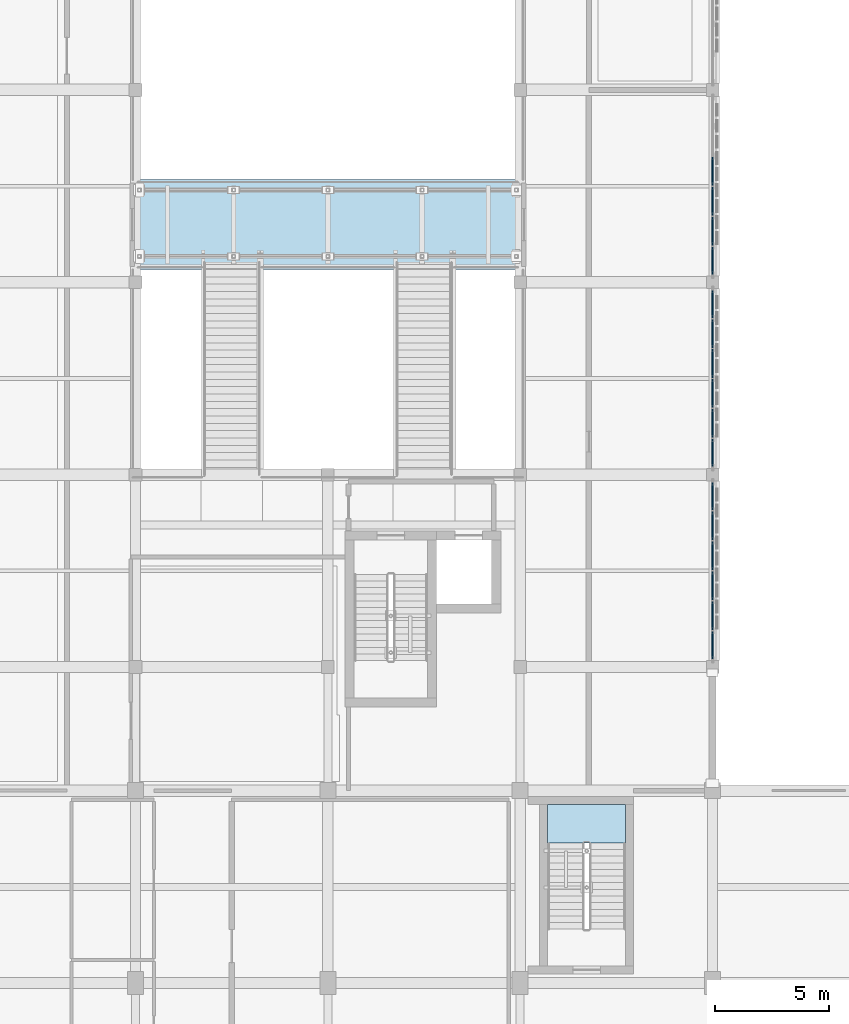
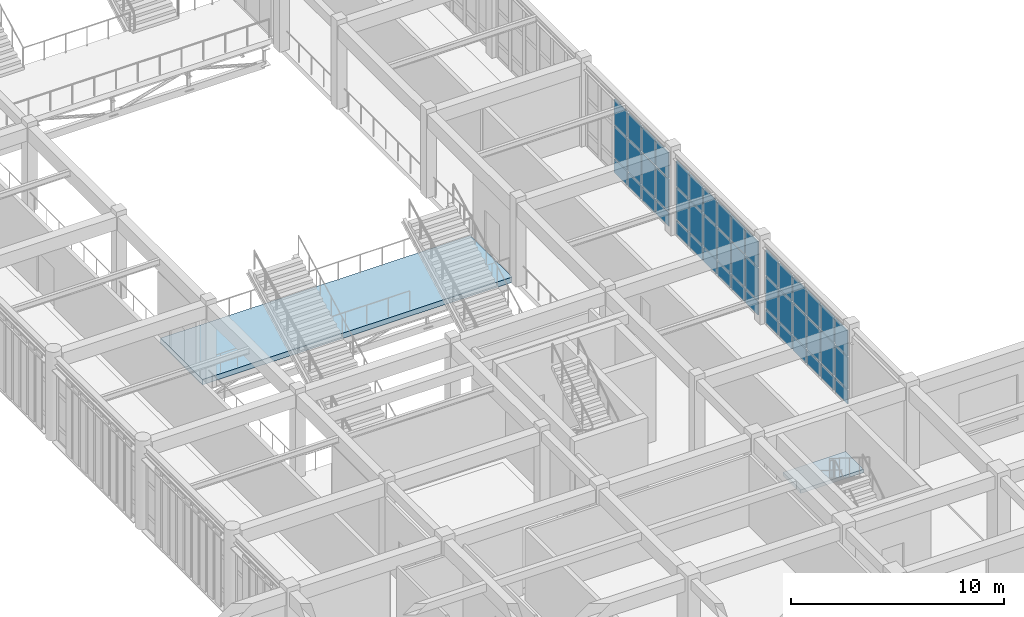
# One storey, part 68 of 106: 48 plates, 2 slabs, 4 elements without a shape of their own.
"""IFC4 building model written with IfcOpenShell, lengths in metres."""

from ifc_helpers import new_model, si_unit, direction, frame, origin, origin_2d, place, context, subcontext, project, spatial, polyline, rectangle, outline, extrude, material, layer, layer_set, type_object, element, aggregate, save


model = new_model("IFC4")

# Units and contexts
model_context = context("Model", 3, precision=1e-05, world=origin(), true_north=direction((0.0, 1.0)))
body_context = subcontext(model_context, "Body", "Model", "MODEL_VIEW")
ifc_project = project(units=[si_unit("LENGTHUNIT", "METRE"), si_unit("AREAUNIT", "SQUARE_METRE"), si_unit("VOLUMEUNIT", "CUBIC_METRE"), si_unit("PLANEANGLEUNIT", "RADIAN"), si_unit("MASSUNIT", "GRAM", prefix="KILO")], contexts=[model_context])

# Site, building, storey
site_placement = place(None, origin())
site = spatial("IfcSite", under=ifc_project, at=site_placement, CompositionType="ELEMENT")
building_placement = place(site_placement, origin())
building = spatial("IfcBuilding", under=site, at=building_placement, Name="Krzemoval Escarpment Law Courts", CompositionType="ELEMENT")
storey_placement = place(building_placement, frame((0.0, 0.0, 5.10009765625)))
storey = spatial("IfcBuildingStorey", under=building, at=storey_placement, Name="L01", CompositionType="ELEMENT", Elevation=5.10009765625)

# Curtain wall, plates
ifc_material_1 = material(Name="Aluminium 6063-T6", Category="aluminium")
ifc_layer_1 = layer(ifc_material_1, 0.280029296875)
ifc_layer_set_1 = layer_set([ifc_layer_1], Name="Aluminium 6063-T6")
curtain_wall_type = type_object("IfcCurtainWallType", Name="CW-HALL-5100", PredefinedType="USERDEFINED", material=ifc_layer_set_1)
curtain_wall_1_placement = place(storey_placement, origin())
curtain_wall_1 = element("IfcCurtainWall", 1, at=curtain_wall_1_placement, inside=storey, type_object=curtain_wall_type, Name="Unitised Curtain Wall FCW-L01-061", ObjectType="UNITISED_CURTAIN_WALL", PredefinedType="USERDEFINED")
ifc_material_2 = material(Name="Triple Glazing IGU", Category="glass")
ifc_layer_2 = layer(ifc_material_2, 0.053955078125)
ifc_layer_set_2 = layer_set([ifc_layer_2], Name="Triple Glazing IGU")
plate_type = type_object("IfcPlateType", Name="CWP-GLZ-54", PredefinedType="CURTAIN_PANEL", material=ifc_layer_set_2)
plate_1_placement = place(storey_placement, frame((42.0, 62.4541015625, 0.0849609375), z_axis=(0.0, 0.0, 1.0), x_axis=(0.0, -1.0, 0.0)))
plate_1 = element("IfcPlate", 2, at=plate_1_placement, type_object=plate_type, Name="FCW-L01-061 panel 3.1", PredefinedType="CURTAIN_PANEL", context=body_context, shape_type="SweptSolid", body=[
    extrude(rectangle(XDim=1.223388671875, YDim=0.053955078125, at=origin_2d()), origin(), (0.0, 0.0, 1.0), 0.7724609375),
])
plate_2_placement = place(storey_placement, frame((42.0, 62.4541015625, 0.9423828125), z_axis=(0.0, 0.0, 1.0), x_axis=(0.0, -1.0, 0.0)))
plate_2 = element("IfcPlate", 3, at=plate_2_placement, type_object=plate_type, Name="FCW-L01-061 panel 3.2", PredefinedType="CURTAIN_PANEL", context=body_context, shape_type="SweptSolid", body=[
    extrude(rectangle(XDim=1.223388671875, YDim=0.053955078125, at=origin_2d()), origin(), (0.0, 0.0, 1.0), 1.81494140625),
])
plate_3_placement = place(storey_placement, frame((42.0, 62.4541015625, 2.842529296875), z_axis=(0.0, 0.0, 1.0), x_axis=(0.0, -1.0, 0.0)))
plate_3 = element("IfcPlate", 4, at=plate_3_placement, type_object=plate_type, Name="FCW-L01-061 panel 3.3", PredefinedType="CURTAIN_PANEL", context=body_context, shape_type="SweptSolid", body=[
    extrude(rectangle(XDim=1.223388671875, YDim=0.053955078125, at=origin_2d()), origin(), (0.0, 0.0, 1.0), 1.4423828125),
])
plate_4_placement = place(storey_placement, frame((42.0, 61.145751953125, 0.0849609375), z_axis=(0.0, 0.0, 1.0), x_axis=(0.0, -1.0, 0.0)))
plate_4 = element("IfcPlate", 5, at=plate_4_placement, type_object=plate_type, Name="FCW-L01-061 panel 4.1", PredefinedType="CURTAIN_PANEL", context=body_context, shape_type="SweptSolid", body=[
    extrude(rectangle(XDim=1.223388671875, YDim=0.053955078125, at=origin_2d()), origin(), (0.0, 0.0, 1.0), 0.7724609375),
])
plate_5_placement = place(storey_placement, frame((42.0, 61.145751953125, 0.9423828125), z_axis=(0.0, 0.0, 1.0), x_axis=(0.0, -1.0, 0.0)))
plate_5 = element("IfcPlate", 6, at=plate_5_placement, type_object=plate_type, Name="FCW-L01-061 panel 4.2", PredefinedType="CURTAIN_PANEL", context=body_context, shape_type="SweptSolid", body=[
    extrude(rectangle(XDim=1.223388671875, YDim=0.053955078125, at=origin_2d()), origin(), (0.0, 0.0, 1.0), 1.81494140625),
])
plate_6_placement = place(storey_placement, frame((42.0, 61.145751953125, 2.842529296875), z_axis=(0.0, 0.0, 1.0), x_axis=(0.0, -1.0, 0.0)))
plate_6 = element("IfcPlate", 7, at=plate_6_placement, type_object=plate_type, Name="FCW-L01-061 panel 4.3", PredefinedType="CURTAIN_PANEL", context=body_context, shape_type="SweptSolid", body=[
    extrude(rectangle(XDim=1.223388671875, YDim=0.053955078125, at=origin_2d()), origin(), (0.0, 0.0, 1.0), 1.4423828125),
])
plate_7_placement = place(storey_placement, frame((42.0, 59.83740234375, 0.0849609375), z_axis=(0.0, 0.0, 1.0), x_axis=(0.0, -1.0, 0.0)))
plate_7 = element("IfcPlate", 8, at=plate_7_placement, type_object=plate_type, Name="FCW-L01-061 panel 5.1", PredefinedType="CURTAIN_PANEL", context=body_context, shape_type="SweptSolid", body=[
    extrude(rectangle(XDim=1.223388671875, YDim=0.053955078125, at=origin_2d()), origin(), (0.0, 0.0, 1.0), 0.7724609375),
])
plate_8_placement = place(storey_placement, frame((42.0, 59.83740234375, 0.9423828125), z_axis=(0.0, 0.0, 1.0), x_axis=(0.0, -1.0, 0.0)))
plate_8 = element("IfcPlate", 9, at=plate_8_placement, type_object=plate_type, Name="FCW-L01-061 panel 5.2", PredefinedType="CURTAIN_PANEL", context=body_context, shape_type="SweptSolid", body=[
    extrude(rectangle(XDim=1.223388671875, YDim=0.053955078125, at=origin_2d()), origin(), (0.0, 0.0, 1.0), 1.81494140625),
])
plate_9_placement = place(storey_placement, frame((42.0, 59.83740234375, 2.842529296875), z_axis=(0.0, 0.0, 1.0), x_axis=(0.0, -1.0, 0.0)))
plate_9 = element("IfcPlate", 10, at=plate_9_placement, type_object=plate_type, Name="FCW-L01-061 panel 5.3", PredefinedType="CURTAIN_PANEL", context=body_context, shape_type="SweptSolid", body=[
    extrude(rectangle(XDim=1.223388671875, YDim=0.053955078125, at=origin_2d()), origin(), (0.0, 0.0, 1.0), 1.4423828125),
])
plate_10_placement = place(storey_placement, frame((42.0, 58.550537109375, 0.0849609375), z_axis=(0.0, 0.0, 1.0), x_axis=(0.0, -1.0, 0.0)))
plate_10 = element("IfcPlate", 11, at=plate_10_placement, type_object=plate_type, Name="FCW-L01-061 panel 6.1", PredefinedType="CURTAIN_PANEL", context=body_context, shape_type="SweptSolid", body=[
    extrude(rectangle(XDim=1.180908203125, YDim=0.053955078125, at=origin_2d()), origin(), (0.0, 0.0, 1.0), 0.7724609375),
])
plate_11_placement = place(storey_placement, frame((42.0, 58.550537109375, 0.9423828125), z_axis=(0.0, 0.0, 1.0), x_axis=(0.0, -1.0, 0.0)))
plate_11 = element("IfcPlate", 12, at=plate_11_placement, type_object=plate_type, Name="FCW-L01-061 panel 6.2", PredefinedType="CURTAIN_PANEL", context=body_context, shape_type="SweptSolid", body=[
    extrude(rectangle(XDim=1.180908203125, YDim=0.053955078125, at=origin_2d()), origin(), (0.0, 0.0, 1.0), 1.81494140625),
])
plate_12_placement = place(storey_placement, frame((42.0, 58.550537109375, 2.842529296875), z_axis=(0.0, 0.0, 1.0), x_axis=(0.0, -1.0, 0.0)))
plate_12 = element("IfcPlate", 13, at=plate_12_placement, type_object=plate_type, Name="FCW-L01-061 panel 6.3", PredefinedType="CURTAIN_PANEL", context=body_context, shape_type="SweptSolid", body=[
    extrude(rectangle(XDim=1.180908203125, YDim=0.053955078125, at=origin_2d()), origin(), (0.0, 0.0, 1.0), 1.4423828125),
])
aggregate(curtain_wall_1, [plate_1, plate_2, plate_3, plate_4, plate_5, plate_6, plate_7, plate_8, plate_9, plate_10, plate_11, plate_12])

curtain_wall_2_placement = place(storey_placement, origin())
curtain_wall_2 = element("IfcCurtainWall", 14, at=curtain_wall_2_placement, inside=storey, type_object=curtain_wall_type, Name="Unitised Curtain Wall FCW-L01-062", ObjectType="UNITISED_CURTAIN_WALL", PredefinedType="USERDEFINED")
plate_13_placement = place(storey_placement, frame((42.0, 56.649658203125, 0.0849609375), z_axis=(0.0, 0.0, 1.0), x_axis=(0.0, -1.0, 0.0)))
plate_13 = element("IfcPlate", 15, at=plate_13_placement, type_object=plate_type, Name="FCW-L01-062 panel 1.1", PredefinedType="CURTAIN_PANEL", context=body_context, shape_type="SweptSolid", body=[
    extrude(rectangle(XDim=1.180908203125, YDim=0.053955078125, at=origin_2d()), origin(), (0.0, 0.0, 1.0), 0.7724609375),
])
plate_14_placement = place(storey_placement, frame((42.0, 56.649658203125, 0.9423828125), z_axis=(0.0, 0.0, 1.0), x_axis=(0.0, -1.0, 0.0)))
plate_14 = element("IfcPlate", 16, at=plate_14_placement, type_object=plate_type, Name="FCW-L01-062 panel 1.2", PredefinedType="CURTAIN_PANEL", context=body_context, shape_type="SweptSolid", body=[
    extrude(rectangle(XDim=1.180908203125, YDim=0.053955078125, at=origin_2d()), origin(), (0.0, 0.0, 1.0), 1.81494140625),
])
plate_15_placement = place(storey_placement, frame((42.0, 56.649658203125, 2.842529296875), z_axis=(0.0, 0.0, 1.0), x_axis=(0.0, -1.0, 0.0)))
plate_15 = element("IfcPlate", 17, at=plate_15_placement, type_object=plate_type, Name="FCW-L01-062 panel 1.3", PredefinedType="CURTAIN_PANEL", context=body_context, shape_type="SweptSolid", body=[
    extrude(rectangle(XDim=1.180908203125, YDim=0.053955078125, at=origin_2d()), origin(), (0.0, 0.0, 1.0), 1.4423828125),
])
plate_16_placement = place(storey_placement, frame((42.0, 55.362548828125, 0.0849609375), z_axis=(0.0, 0.0, 1.0), x_axis=(0.0, -1.0, 0.0)))
plate_16 = element("IfcPlate", 18, at=plate_16_placement, type_object=plate_type, Name="FCW-L01-062 panel 2.1", PredefinedType="CURTAIN_PANEL", context=body_context, shape_type="SweptSolid", body=[
    extrude(rectangle(XDim=1.223388671875, YDim=0.053955078125, at=origin_2d()), origin(), (0.0, 0.0, 1.0), 0.7724609375),
])
plate_17_placement = place(storey_placement, frame((42.0, 55.362548828125, 0.9423828125), z_axis=(0.0, 0.0, 1.0), x_axis=(0.0, -1.0, 0.0)))
plate_17 = element("IfcPlate", 19, at=plate_17_placement, type_object=plate_type, Name="FCW-L01-062 panel 2.2", PredefinedType="CURTAIN_PANEL", context=body_context, shape_type="SweptSolid", body=[
    extrude(rectangle(XDim=1.223388671875, YDim=0.053955078125, at=origin_2d()), origin(), (0.0, 0.0, 1.0), 1.81494140625),
])
plate_18_placement = place(storey_placement, frame((42.0, 55.362548828125, 2.842529296875), z_axis=(0.0, 0.0, 1.0), x_axis=(0.0, -1.0, 0.0)))
plate_18 = element("IfcPlate", 20, at=plate_18_placement, type_object=plate_type, Name="FCW-L01-062 panel 2.3", PredefinedType="CURTAIN_PANEL", context=body_context, shape_type="SweptSolid", body=[
    extrude(rectangle(XDim=1.223388671875, YDim=0.053955078125, at=origin_2d()), origin(), (0.0, 0.0, 1.0), 1.4423828125),
])
plate_19_placement = place(storey_placement, frame((42.0, 54.05419921875, 0.0849609375), z_axis=(0.0, 0.0, 1.0), x_axis=(0.0, -1.0, 0.0)))
plate_19 = element("IfcPlate", 21, at=plate_19_placement, type_object=plate_type, Name="FCW-L01-062 panel 3.1", PredefinedType="CURTAIN_PANEL", context=body_context, shape_type="SweptSolid", body=[
    extrude(rectangle(XDim=1.223388671875, YDim=0.053955078125, at=origin_2d()), origin(), (0.0, 0.0, 1.0), 0.7724609375),
])
plate_20_placement = place(storey_placement, frame((42.0, 54.05419921875, 0.9423828125), z_axis=(0.0, 0.0, 1.0), x_axis=(0.0, -1.0, 0.0)))
plate_20 = element("IfcPlate", 22, at=plate_20_placement, type_object=plate_type, Name="FCW-L01-062 panel 3.2", PredefinedType="CURTAIN_PANEL", context=body_context, shape_type="SweptSolid", body=[
    extrude(rectangle(XDim=1.223388671875, YDim=0.053955078125, at=origin_2d()), origin(), (0.0, 0.0, 1.0), 1.81494140625),
])
plate_21_placement = place(storey_placement, frame((42.0, 54.05419921875, 2.842529296875), z_axis=(0.0, 0.0, 1.0), x_axis=(0.0, -1.0, 0.0)))
plate_21 = element("IfcPlate", 23, at=plate_21_placement, type_object=plate_type, Name="FCW-L01-062 panel 3.3", PredefinedType="CURTAIN_PANEL", context=body_context, shape_type="SweptSolid", body=[
    extrude(rectangle(XDim=1.223388671875, YDim=0.053955078125, at=origin_2d()), origin(), (0.0, 0.0, 1.0), 1.4423828125),
])
plate_22_placement = place(storey_placement, frame((42.0, 52.745849609375, 0.0849609375), z_axis=(0.0, 0.0, 1.0), x_axis=(0.0, -1.0, 0.0)))
plate_22 = element("IfcPlate", 24, at=plate_22_placement, type_object=plate_type, Name="FCW-L01-062 panel 4.1", PredefinedType="CURTAIN_PANEL", context=body_context, shape_type="SweptSolid", body=[
    extrude(rectangle(XDim=1.223388671875, YDim=0.053955078125, at=origin_2d()), origin(), (0.0, 0.0, 1.0), 0.7724609375),
])
plate_23_placement = place(storey_placement, frame((42.0, 52.745849609375, 0.9423828125), z_axis=(0.0, 0.0, 1.0), x_axis=(0.0, -1.0, 0.0)))
plate_23 = element("IfcPlate", 25, at=plate_23_placement, type_object=plate_type, Name="FCW-L01-062 panel 4.2", PredefinedType="CURTAIN_PANEL", context=body_context, shape_type="SweptSolid", body=[
    extrude(rectangle(XDim=1.223388671875, YDim=0.053955078125, at=origin_2d()), origin(), (0.0, 0.0, 1.0), 1.81494140625),
])
plate_24_placement = place(storey_placement, frame((42.0, 52.745849609375, 2.842529296875), z_axis=(0.0, 0.0, 1.0), x_axis=(0.0, -1.0, 0.0)))
plate_24 = element("IfcPlate", 26, at=plate_24_placement, type_object=plate_type, Name="FCW-L01-062 panel 4.3", PredefinedType="CURTAIN_PANEL", context=body_context, shape_type="SweptSolid", body=[
    extrude(rectangle(XDim=1.223388671875, YDim=0.053955078125, at=origin_2d()), origin(), (0.0, 0.0, 1.0), 1.4423828125),
])
plate_25_placement = place(storey_placement, frame((42.0, 51.4375, 0.0849609375), z_axis=(0.0, 0.0, 1.0), x_axis=(0.0, -1.0, 0.0)))
plate_25 = element("IfcPlate", 27, at=plate_25_placement, type_object=plate_type, Name="FCW-L01-062 panel 5.1", PredefinedType="CURTAIN_PANEL", context=body_context, shape_type="SweptSolid", body=[
    extrude(rectangle(XDim=1.223388671875, YDim=0.053955078125, at=origin_2d()), origin(), (0.0, 0.0, 1.0), 0.7724609375),
])
plate_26_placement = place(storey_placement, frame((42.0, 51.4375, 0.9423828125), z_axis=(0.0, 0.0, 1.0), x_axis=(0.0, -1.0, 0.0)))
plate_26 = element("IfcPlate", 28, at=plate_26_placement, type_object=plate_type, Name="FCW-L01-062 panel 5.2", PredefinedType="CURTAIN_PANEL", context=body_context, shape_type="SweptSolid", body=[
    extrude(rectangle(XDim=1.223388671875, YDim=0.053955078125, at=origin_2d()), origin(), (0.0, 0.0, 1.0), 1.81494140625),
])
plate_27_placement = place(storey_placement, frame((42.0, 51.4375, 2.842529296875), z_axis=(0.0, 0.0, 1.0), x_axis=(0.0, -1.0, 0.0)))
plate_27 = element("IfcPlate", 29, at=plate_27_placement, type_object=plate_type, Name="FCW-L01-062 panel 5.3", PredefinedType="CURTAIN_PANEL", context=body_context, shape_type="SweptSolid", body=[
    extrude(rectangle(XDim=1.223388671875, YDim=0.053955078125, at=origin_2d()), origin(), (0.0, 0.0, 1.0), 1.4423828125),
])
plate_28_placement = place(storey_placement, frame((42.0, 50.150390625, 0.0849609375), z_axis=(0.0, 0.0, 1.0), x_axis=(0.0, -1.0, 0.0)))
plate_28 = element("IfcPlate", 30, at=plate_28_placement, type_object=plate_type, Name="FCW-L01-062 panel 6.1", PredefinedType="CURTAIN_PANEL", context=body_context, shape_type="SweptSolid", body=[
    extrude(rectangle(XDim=1.180908203125, YDim=0.053955078125, at=origin_2d()), origin(), (0.0, 0.0, 1.0), 0.7724609375),
])
plate_29_placement = place(storey_placement, frame((42.0, 50.150390625, 0.9423828125), z_axis=(0.0, 0.0, 1.0), x_axis=(0.0, -1.0, 0.0)))
plate_29 = element("IfcPlate", 31, at=plate_29_placement, type_object=plate_type, Name="FCW-L01-062 panel 6.2", PredefinedType="CURTAIN_PANEL", context=body_context, shape_type="SweptSolid", body=[
    extrude(rectangle(XDim=1.180908203125, YDim=0.053955078125, at=origin_2d()), origin(), (0.0, 0.0, 1.0), 1.81494140625),
])
plate_30_placement = place(storey_placement, frame((42.0, 50.150390625, 2.842529296875), z_axis=(0.0, 0.0, 1.0), x_axis=(0.0, -1.0, 0.0)))
plate_30 = element("IfcPlate", 32, at=plate_30_placement, type_object=plate_type, Name="FCW-L01-062 panel 6.3", PredefinedType="CURTAIN_PANEL", context=body_context, shape_type="SweptSolid", body=[
    extrude(rectangle(XDim=1.180908203125, YDim=0.053955078125, at=origin_2d()), origin(), (0.0, 0.0, 1.0), 1.4423828125),
])
aggregate(curtain_wall_2, [plate_13, plate_14, plate_15, plate_16, plate_17, plate_18, plate_19, plate_20, plate_21, plate_22, plate_23, plate_24, plate_25, plate_26, plate_27, plate_28, plate_29, plate_30])

curtain_wall_3_placement = place(storey_placement, origin())
curtain_wall_3 = element("IfcCurtainWall", 33, at=curtain_wall_3_placement, inside=storey, type_object=curtain_wall_type, Name="Unitised Curtain Wall FCW-L01-063", ObjectType="UNITISED_CURTAIN_WALL", PredefinedType="USERDEFINED")
plate_31_placement = place(storey_placement, frame((42.0, 48.24951171875, 0.0849609375), z_axis=(0.0, 0.0, 1.0), x_axis=(0.0, -1.0, 0.0)))
plate_31 = element("IfcPlate", 34, at=plate_31_placement, type_object=plate_type, Name="FCW-L01-063 panel 1.1", PredefinedType="CURTAIN_PANEL", context=body_context, shape_type="SweptSolid", body=[
    extrude(rectangle(XDim=1.180908203125, YDim=0.053955078125, at=origin_2d()), origin(), (0.0, 0.0, 1.0), 0.7724609375),
])
plate_32_placement = place(storey_placement, frame((42.0, 48.24951171875, 0.9423828125), z_axis=(0.0, 0.0, 1.0), x_axis=(0.0, -1.0, 0.0)))
plate_32 = element("IfcPlate", 35, at=plate_32_placement, type_object=plate_type, Name="FCW-L01-063 panel 1.2", PredefinedType="CURTAIN_PANEL", context=body_context, shape_type="SweptSolid", body=[
    extrude(rectangle(XDim=1.180908203125, YDim=0.053955078125, at=origin_2d()), origin(), (0.0, 0.0, 1.0), 1.81494140625),
])
plate_33_placement = place(storey_placement, frame((42.0, 48.24951171875, 2.842529296875), z_axis=(0.0, 0.0, 1.0), x_axis=(0.0, -1.0, 0.0)))
plate_33 = element("IfcPlate", 36, at=plate_33_placement, type_object=plate_type, Name="FCW-L01-063 panel 1.3", PredefinedType="CURTAIN_PANEL", context=body_context, shape_type="SweptSolid", body=[
    extrude(rectangle(XDim=1.180908203125, YDim=0.053955078125, at=origin_2d()), origin(), (0.0, 0.0, 1.0), 1.4423828125),
])
plate_34_placement = place(storey_placement, frame((42.0, 46.96240234375, 0.0849609375), z_axis=(0.0, 0.0, 1.0), x_axis=(0.0, -1.0, 0.0)))
plate_34 = element("IfcPlate", 37, at=plate_34_placement, type_object=plate_type, Name="FCW-L01-063 panel 2.1", PredefinedType="CURTAIN_PANEL", context=body_context, shape_type="SweptSolid", body=[
    extrude(rectangle(XDim=1.223388671875, YDim=0.053955078125, at=origin_2d()), origin(), (0.0, 0.0, 1.0), 0.7724609375),
])
plate_35_placement = place(storey_placement, frame((42.0, 46.96240234375, 0.9423828125), z_axis=(0.0, 0.0, 1.0), x_axis=(0.0, -1.0, 0.0)))
plate_35 = element("IfcPlate", 38, at=plate_35_placement, type_object=plate_type, Name="FCW-L01-063 panel 2.2", PredefinedType="CURTAIN_PANEL", context=body_context, shape_type="SweptSolid", body=[
    extrude(rectangle(XDim=1.223388671875, YDim=0.053955078125, at=origin_2d()), origin(), (0.0, 0.0, 1.0), 1.81494140625),
])
plate_36_placement = place(storey_placement, frame((42.0, 46.96240234375, 2.842529296875), z_axis=(0.0, 0.0, 1.0), x_axis=(0.0, -1.0, 0.0)))
plate_36 = element("IfcPlate", 39, at=plate_36_placement, type_object=plate_type, Name="FCW-L01-063 panel 2.3", PredefinedType="CURTAIN_PANEL", context=body_context, shape_type="SweptSolid", body=[
    extrude(rectangle(XDim=1.223388671875, YDim=0.053955078125, at=origin_2d()), origin(), (0.0, 0.0, 1.0), 1.4423828125),
])
plate_37_placement = place(storey_placement, frame((42.0, 45.654052734375, 0.0849609375), z_axis=(0.0, 0.0, 1.0), x_axis=(0.0, -1.0, 0.0)))
plate_37 = element("IfcPlate", 40, at=plate_37_placement, type_object=plate_type, Name="FCW-L01-063 panel 3.1", PredefinedType="CURTAIN_PANEL", context=body_context, shape_type="SweptSolid", body=[
    extrude(rectangle(XDim=1.223388671875, YDim=0.053955078125, at=origin_2d()), origin(), (0.0, 0.0, 1.0), 0.7724609375),
])
plate_38_placement = place(storey_placement, frame((42.0, 45.654052734375, 0.9423828125), z_axis=(0.0, 0.0, 1.0), x_axis=(0.0, -1.0, 0.0)))
plate_38 = element("IfcPlate", 41, at=plate_38_placement, type_object=plate_type, Name="FCW-L01-063 panel 3.2", PredefinedType="CURTAIN_PANEL", context=body_context, shape_type="SweptSolid", body=[
    extrude(rectangle(XDim=1.223388671875, YDim=0.053955078125, at=origin_2d()), origin(), (0.0, 0.0, 1.0), 1.81494140625),
])
plate_39_placement = place(storey_placement, frame((42.0, 45.654052734375, 2.842529296875), z_axis=(0.0, 0.0, 1.0), x_axis=(0.0, -1.0, 0.0)))
plate_39 = element("IfcPlate", 42, at=plate_39_placement, type_object=plate_type, Name="FCW-L01-063 panel 3.3", PredefinedType="CURTAIN_PANEL", context=body_context, shape_type="SweptSolid", body=[
    extrude(rectangle(XDim=1.223388671875, YDim=0.053955078125, at=origin_2d()), origin(), (0.0, 0.0, 1.0), 1.4423828125),
])
plate_40_placement = place(storey_placement, frame((42.0, 44.345947265625, 0.0849609375), z_axis=(0.0, 0.0, 1.0), x_axis=(0.0, -1.0, 0.0)))
plate_40 = element("IfcPlate", 43, at=plate_40_placement, type_object=plate_type, Name="FCW-L01-063 panel 4.1", PredefinedType="CURTAIN_PANEL", context=body_context, shape_type="SweptSolid", body=[
    extrude(rectangle(XDim=1.223388671875, YDim=0.053955078125, at=origin_2d()), origin(), (0.0, 0.0, 1.0), 0.7724609375),
])
plate_41_placement = place(storey_placement, frame((42.0, 44.345947265625, 0.9423828125), z_axis=(0.0, 0.0, 1.0), x_axis=(0.0, -1.0, 0.0)))
plate_41 = element("IfcPlate", 44, at=plate_41_placement, type_object=plate_type, Name="FCW-L01-063 panel 4.2", PredefinedType="CURTAIN_PANEL", context=body_context, shape_type="SweptSolid", body=[
    extrude(rectangle(XDim=1.223388671875, YDim=0.053955078125, at=origin_2d()), origin(), (0.0, 0.0, 1.0), 1.81494140625),
])
plate_42_placement = place(storey_placement, frame((42.0, 44.345947265625, 2.842529296875), z_axis=(0.0, 0.0, 1.0), x_axis=(0.0, -1.0, 0.0)))
plate_42 = element("IfcPlate", 45, at=plate_42_placement, type_object=plate_type, Name="FCW-L01-063 panel 4.3", PredefinedType="CURTAIN_PANEL", context=body_context, shape_type="SweptSolid", body=[
    extrude(rectangle(XDim=1.223388671875, YDim=0.053955078125, at=origin_2d()), origin(), (0.0, 0.0, 1.0), 1.4423828125),
])
plate_43_placement = place(storey_placement, frame((42.0, 43.03759765625, 0.0849609375), z_axis=(0.0, 0.0, 1.0), x_axis=(0.0, -1.0, 0.0)))
plate_43 = element("IfcPlate", 46, at=plate_43_placement, type_object=plate_type, Name="FCW-L01-063 panel 5.1", PredefinedType="CURTAIN_PANEL", context=body_context, shape_type="SweptSolid", body=[
    extrude(rectangle(XDim=1.223388671875, YDim=0.053955078125, at=origin_2d()), origin(), (0.0, 0.0, 1.0), 0.7724609375),
])
plate_44_placement = place(storey_placement, frame((42.0, 43.03759765625, 0.9423828125), z_axis=(0.0, 0.0, 1.0), x_axis=(0.0, -1.0, 0.0)))
plate_44 = element("IfcPlate", 47, at=plate_44_placement, type_object=plate_type, Name="FCW-L01-063 panel 5.2", PredefinedType="CURTAIN_PANEL", context=body_context, shape_type="SweptSolid", body=[
    extrude(rectangle(XDim=1.223388671875, YDim=0.053955078125, at=origin_2d()), origin(), (0.0, 0.0, 1.0), 1.81494140625),
])
plate_45_placement = place(storey_placement, frame((42.0, 43.03759765625, 2.842529296875), z_axis=(0.0, 0.0, 1.0), x_axis=(0.0, -1.0, 0.0)))
plate_45 = element("IfcPlate", 48, at=plate_45_placement, type_object=plate_type, Name="FCW-L01-063 panel 5.3", PredefinedType="CURTAIN_PANEL", context=body_context, shape_type="SweptSolid", body=[
    extrude(rectangle(XDim=1.223388671875, YDim=0.053955078125, at=origin_2d()), origin(), (0.0, 0.0, 1.0), 1.4423828125),
])
plate_46_placement = place(storey_placement, frame((42.0, 41.75048828125, 0.0849609375), z_axis=(0.0, 0.0, 1.0), x_axis=(0.0, -1.0, 0.0)))
plate_46 = element("IfcPlate", 49, at=plate_46_placement, type_object=plate_type, Name="FCW-L01-063 panel 6.1", PredefinedType="CURTAIN_PANEL", context=body_context, shape_type="SweptSolid", body=[
    extrude(rectangle(XDim=1.180908203125, YDim=0.053955078125, at=origin_2d()), origin(), (0.0, 0.0, 1.0), 0.7724609375),
])
plate_47_placement = place(storey_placement, frame((42.0, 41.75048828125, 0.9423828125), z_axis=(0.0, 0.0, 1.0), x_axis=(0.0, -1.0, 0.0)))
plate_47 = element("IfcPlate", 50, at=plate_47_placement, type_object=plate_type, Name="FCW-L01-063 panel 6.2", PredefinedType="CURTAIN_PANEL", context=body_context, shape_type="SweptSolid", body=[
    extrude(rectangle(XDim=1.180908203125, YDim=0.053955078125, at=origin_2d()), origin(), (0.0, 0.0, 1.0), 1.81494140625),
])
plate_48_placement = place(storey_placement, frame((42.0, 41.75048828125, 2.842529296875), z_axis=(0.0, 0.0, 1.0), x_axis=(0.0, -1.0, 0.0)))
plate_48 = element("IfcPlate", 51, at=plate_48_placement, type_object=plate_type, Name="FCW-L01-063 panel 6.3", PredefinedType="CURTAIN_PANEL", context=body_context, shape_type="SweptSolid", body=[
    extrude(rectangle(XDim=1.180908203125, YDim=0.053955078125, at=origin_2d()), origin(), (0.0, 0.0, 1.0), 1.4423828125),
])
aggregate(curtain_wall_3, [plate_31, plate_32, plate_33, plate_34, plate_35, plate_36, plate_37, plate_38, plate_39, plate_40, plate_41, plate_42, plate_43, plate_44, plate_45, plate_46, plate_47, plate_48])

# Slab
ifc_material_3 = material(Name="Concrete C40/50", Category="concrete")
ifc_layer_3 = layer(ifc_material_3, 0.300048828125)
ifc_layer_set_3 = layer_set([ifc_layer_3], Name="Concrete C40/50")
slab_type_1 = type_object("IfcSlabType", Name="SL-FLR-300", PredefinedType="FLOOR", material=ifc_layer_set_3)
slab_1_placement = place(storey_placement, frame((0.0, 0.0, -0.300048828125)))
element("IfcSlab", 52, at=slab_1_placement, inside=storey, type_object=slab_type_1, Name="Atrium Bridge Deck BRG-L01-1", PredefinedType="FLOOR", context=body_context, shape_type="SweptSolid", body=[
    extrude(outline(polyline([(33.60009765625, 58.14990234375), (33.60009765625, 62.080078125), (16.800048828125, 62.080078125), (16.800048828125, 58.14990234375), (33.60009765625, 58.14990234375)])), origin(), (0.0, 0.0, 1.0), 0.300048828125),
])

# Stair, slab
ifc_material_4 = material(Name="Concrete C40/50", Category="concrete")
stair_type = type_object("IfcStairType", Name="STR-CORE-1600", PredefinedType="HALF_TURN_STAIR", material=ifc_material_4)
stair_placement = place(storey_placement, origin())
stair = element("IfcStair", 53, at=stair_placement, inside=storey, type_object=stair_type, Name="L01 ST9", PredefinedType="HALF_TURN_STAIR")
ifc_material_5 = material(Name="Concrete C40/50", Category="concrete")
ifc_layer_4 = layer(ifc_material_5, 0.199951171875)
ifc_layer_set_4 = layer_set([ifc_layer_4], Name="Concrete C40/50")
slab_type_2 = type_object("IfcSlabType", Name="SL-LND-200", PredefinedType="LANDING", material=ifc_layer_set_4)
slab_2_placement = place(storey_placement, frame((0.0, 0.0, 2.349853515625)))
slab_2 = element("IfcSlab", 54, at=slab_2_placement, type_object=slab_type_2, Name="ST9 landing 1", PredefinedType="LANDING", context=body_context, shape_type="SweptSolid", body=[
    extrude(outline(polyline([(38.199951171875, 33.1201171875), (38.199951171875, 34.800048828125), (34.800048828125, 34.800048828125), (34.800048828125, 33.1201171875), (38.199951171875, 33.1201171875)])), origin(), (0.0, 0.0, 1.0), 0.199951171875),
])
aggregate(stair, [slab_2])

save(model, "model.ifc")
